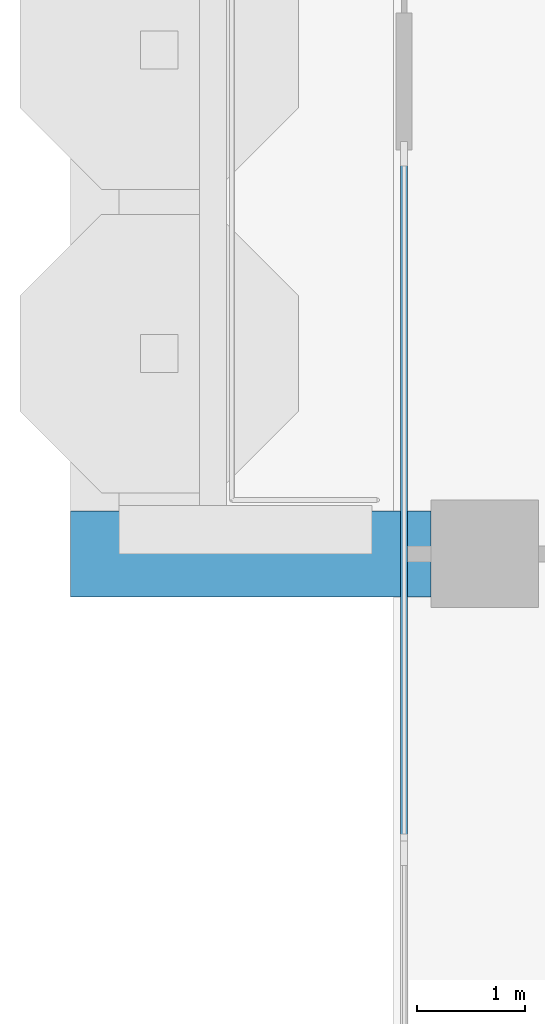
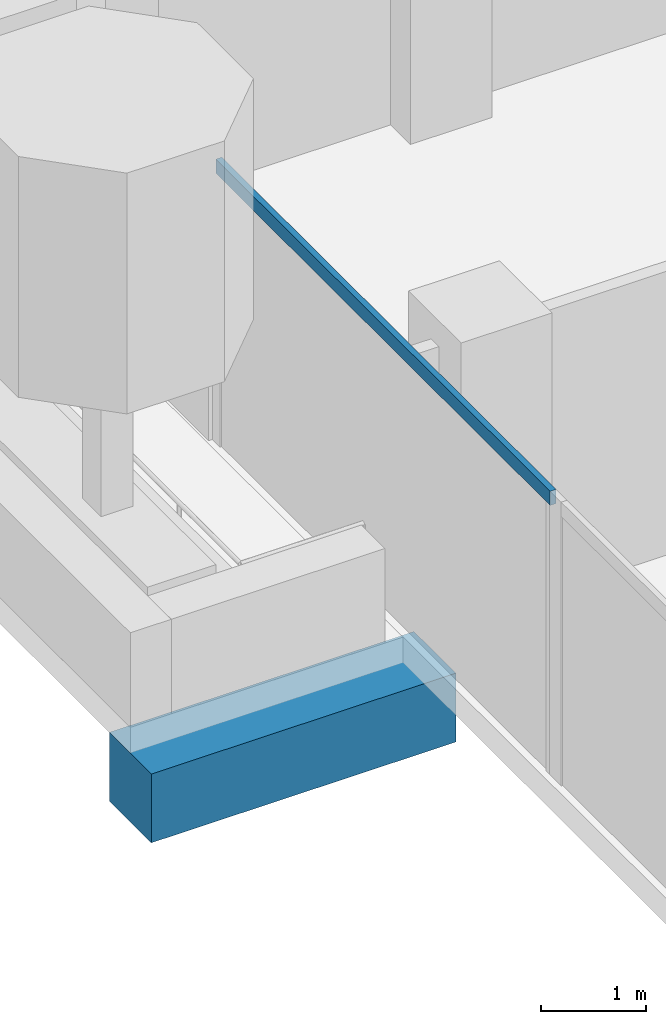
# One storey, part 3 of 18: 1 beam, 1 member, 1 element without a shape of its own.
"""IFC4 building model written with IfcOpenShell, lengths in metres."""

from ifc_helpers import new_model, si_unit, direction, frame, origin, origin_2d, place, context, subcontext, project, spatial, rectangle, extrude, material, material_profile, profile_set, type_object, element, aggregate, save


model = new_model("IFC4")

# Units and contexts
model_context = context("Model", 3, precision=1e-05, world=origin(), true_north=direction((0.0, 1.0)))
body_context = subcontext(model_context, "Body", "Model", "MODEL_VIEW")
ifc_project = project(units=[si_unit("LENGTHUNIT", "METRE"), si_unit("AREAUNIT", "SQUARE_METRE"), si_unit("VOLUMEUNIT", "CUBIC_METRE"), si_unit("PLANEANGLEUNIT", "RADIAN"), si_unit("MASSUNIT", "GRAM", prefix="KILO")], contexts=[model_context])

# Site, building, storey
site_placement = place(None, origin())
site = spatial("IfcSite", under=ifc_project, at=site_placement, CompositionType="ELEMENT")
building_placement = place(site_placement, origin())
building = spatial("IfcBuilding", under=site, at=building_placement, Name="Pilkhan Gate Tower", CompositionType="ELEMENT")
storey_placement = place(building_placement, frame((0.0, 0.0, 192.300048828125)))
storey = spatial("IfcBuildingStorey", under=building, at=storey_placement, Name="L49", CompositionType="ELEMENT", Elevation=192.300048828125)

# Beam
ifc_material_1 = material(Name="Concrete C50/60", Category="concrete")
ifc_material_profile_1 = material_profile(ifc_material_1, rectangle(XDim=0.800048828125, YDim=0.800048828125, at=origin_2d()), Name="RC 800x800")
ifc_profile_set_1 = profile_set([ifc_material_profile_1], Name="Concrete C50/60")
beam_type = type_object("IfcBeamType", Name="Cantilever beam CB2 RC 800x800 C50/60", PredefinedType="BEAM", material=ifc_profile_set_1)
beam_placement = place(storey_placement, frame((48.25, 67.5, -0.699951171875), z_axis=(-1.0, 0.0, 0.0), x_axis=(0.0, -1.0, 0.0)))
element("IfcBeam", 1, at=beam_placement, inside=storey, type_object=beam_type, Name="Balcony beam W.1 L49", PredefinedType="BEAM", context=body_context, shape_type="SweptSolid", body=[
    extrude(rectangle(XDim=0.800048828125, YDim=0.800048828125, at=origin_2d()), origin(), (0.0, 0.0, 1.0), 3.35009765625),
])

# Curtain wall, member
ifc_material_2 = material(Name="Pale anodised aluminium, clear low-iron double glazing", Category="aluminium")
curtain_wall_type = type_object("IfcCurtainWallType", Name="Office unitised curtain wall CW-O2", PredefinedType="USERDEFINED", material=ifc_material_2)
curtain_wall_placement = place(storey_placement, origin())
curtain_wall = element("IfcCurtainWall", 2, at=curtain_wall_placement, inside=storey, type_object=curtain_wall_type, Name="Office unitised curtain wall CW-O2 L49 W", ObjectType="UNITISED CURTAIN WALL", PredefinedType="USERDEFINED")
ifc_material_3 = material(Name="Pale anodised aluminium", Category="aluminium")
ifc_material_profile_2 = material_profile(ifc_material_3, rectangle(XDim=0.06494140625, YDim=0.1650390625, at=origin_2d()), Name="Transom 165x65")
ifc_profile_set_2 = profile_set([ifc_material_profile_2], Name="Pale anodised aluminium")
member_type = type_object("IfcMemberType", Name="Transom CW-O2 165x65", PredefinedType="USERDEFINED", material=ifc_profile_set_2)
member_placement = place(storey_placement, frame((48.0, 64.81494140625, 3.217529296875), z_axis=(0.0, 1.0, 0.0), x_axis=(-1.0, 0.0, 0.0)))
member = element("IfcMember", 3, at=member_placement, type_object=member_type, Name="CW-O2 transom 1", ObjectType="TRANSOM", PredefinedType="USERDEFINED", context=body_context, shape_type="SweptSolid", body=[
    extrude(rectangle(XDim=0.06494140625, YDim=0.1650390625, at=origin_2d()), origin(), (0.0, 0.0, 1.0), 6.3701171875),
])
aggregate(curtain_wall, [member])

save(model, "model.ifc")
